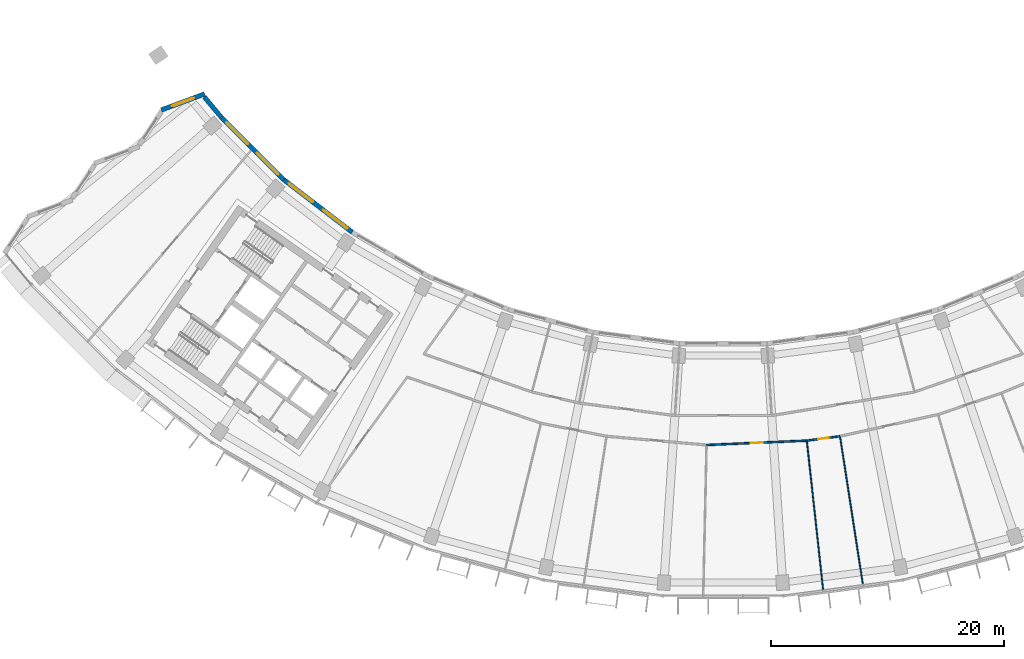
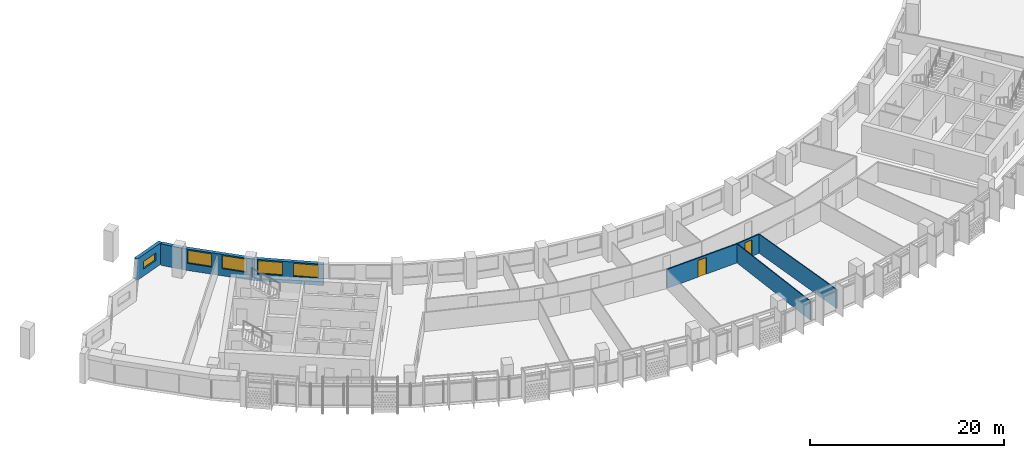
# One storey, part 5 of 27: 8 walls, 5 windows, 2 doors, 7 openings.
"""IFC4 building model written with IfcOpenShell, lengths in metres."""

from ifc_helpers import new_model, si_unit, direction, frame, frame_2d, origin, place, context, subcontext, project, spatial, rectangle, extrude, material, layer, layer_set, type_object, element, fill, save


model = new_model("IFC4")

# Units and contexts
model_context = context("Model", 3, precision=1e-05, world=origin(), true_north=direction((0.0, 1.0)))
body_context = subcontext(model_context, "Body", "Model", "MODEL_VIEW")
ifc_project = project(units=[si_unit("LENGTHUNIT", "METRE"), si_unit("AREAUNIT", "SQUARE_METRE"), si_unit("VOLUMEUNIT", "CUBIC_METRE"), si_unit("PLANEANGLEUNIT", "RADIAN"), si_unit("MASSUNIT", "GRAM", prefix="KILO")], contexts=[model_context])

# Site, building, storey
site_placement = place(None, origin())
site = spatial("IfcSite", under=ifc_project, at=site_placement, CompositionType="ELEMENT")
building_placement = place(site_placement, origin())
building = spatial("IfcBuilding", under=site, at=building_placement, Name="Qamariyya Broadcast Tower", CompositionType="ELEMENT")
storey_placement = place(building_placement, frame((0.0, 0.0, 194.89990234375)))
storey = spatial("IfcBuildingStorey", under=building, at=storey_placement, Name="L46", CompositionType="ELEMENT", Elevation=194.89990234375)

# Wall, opening, door
ifc_material_1 = material(Name="Gypsum board partition")
ifc_layer_1 = layer(ifc_material_1, 0.14990234375)
ifc_layer_set_1 = layer_set([ifc_layer_1], Name="Corridor partition 150 EI 60")
wall_type_1 = type_object("IfcWallType", Name="Corridor partition 150 EI 60", PredefinedType="PARTITIONING", material=ifc_layer_set_1)
wall_1_placement = place(storey_placement, frame((7.16162109375, -65.4091796875, 0.0), z_axis=(0.0, 0.0, 1.0), x_axis=(-0.999050423115, -0.043568934724, 0.0)))
wall_1 = element("IfcWall", 1, at=wall_1_placement, inside=storey, type_object=wall_type_1, Name="Partition L46-017", PredefinedType="PARTITIONING", context=body_context, shape_type="SweptSolid", body=[
    extrude(rectangle(XDim=8.60693359375, YDim=0.14990234375, at=frame_2d((4.303466796875, 0.0))), origin(), (0.0, 0.0, 1.0), 2.400146484375),
])
opening_1_placement = place(wall_1_placement, frame((3.803466796875, 0.0, 0.0)))
opening_1 = element("IfcOpeningElement", 2, at=opening_1_placement, cuts=wall_1, Name="Opening L46-D04", PredefinedType="OPENING", context=body_context, shape_type="SweptSolid", body=[
    extrude(rectangle(XDim=1.0, YDim=2.10009765625, at=frame_2d((0.5, 1.050048828125))), frame((0.0, 0.0849609375, 0.0), z_axis=(0.0, -1.0, 0.0), x_axis=(1.0, 0.0, 0.0)), (0.0, 0.0, 1.0), 0.169921875),
])
ifc_material_2 = material(Name="Timber fire door leaf", Category="wood")
door_type_1 = type_object("IfcDoorType", Name="Fire door 1000 x 2100 FD60", OperationType="NOTDEFINED", PredefinedType="DOOR", material=ifc_material_2)
door_1_placement = place(opening_1_placement, origin())
door_1 = element("IfcDoor", 3, at=door_1_placement, inside=storey, type_object=door_type_1, Name="Door L46-D04", OperationType="SINGLE_SWING_RIGHT", OverallHeight=2.10009765625, OverallWidth=1.0, PredefinedType="DOOR", context=body_context, shape_type="SweptSolid", body=[
    extrude(rectangle(XDim=1.0, YDim=2.10009765625, at=frame_2d((0.5, 1.050048828125))), frame((0.0, 0.02490234375, 0.0), z_axis=(0.0, -1.0, 0.0), x_axis=(1.0, 0.0, 0.0)), (0.0, 0.0, 1.0), 0.050048828125),
])
fill(opening_1, door_1)

wall_2_placement = place(storey_placement, frame((10.011474609375, -65.033935546875, 0.0), z_axis=(0.0, 0.0, 1.0), x_axis=(-0.991442438756, -0.13054459251, 0.0)))
wall_2 = element("IfcWall", 4, at=wall_2_placement, inside=storey, type_object=wall_type_1, Name="Partition L46-020", PredefinedType="PARTITIONING", context=body_context, shape_type="SweptSolid", body=[
    extrude(rectangle(XDim=2.87451171875, YDim=0.14990234375, at=frame_2d((1.437255859375, 0.0))), origin(), (0.0, 0.0, 1.0), 2.400146484375),
])
opening_2_placement = place(wall_2_placement, frame((0.9873046875, 0.0, 0.0)))
opening_2 = element("IfcOpeningElement", 5, at=opening_2_placement, cuts=wall_2, Name="Opening L46-D05", PredefinedType="OPENING", context=body_context, shape_type="SweptSolid", body=[
    extrude(rectangle(XDim=0.89990234375, YDim=2.10009765625, at=frame_2d((0.449951171875, 1.050048828125))), frame((0.0, 0.0849609375, 0.0), z_axis=(0.0, -1.0, 0.0), x_axis=(1.0, 0.0, 0.0)), (0.0, 0.0, 1.0), 0.169921875),
])
door_type_2 = type_object("IfcDoorType", Name="Fire door 900 x 2100 FD60", OperationType="NOTDEFINED", PredefinedType="DOOR", material=ifc_material_2)
door_2_placement = place(opening_2_placement, origin())
door_2 = element("IfcDoor", 6, at=door_2_placement, inside=storey, type_object=door_type_2, Name="Door L46-D05", OperationType="SINGLE_SWING_RIGHT", OverallHeight=2.10009765625, OverallWidth=0.89990234375, PredefinedType="DOOR", context=body_context, shape_type="SweptSolid", body=[
    extrude(rectangle(XDim=0.89990234375, YDim=2.10009765625, at=frame_2d((0.449951171875, 1.050048828125))), frame((0.0, 0.02490234375, 0.0), z_axis=(0.0, -1.0, 0.0), x_axis=(1.0, 0.0, 0.0)), (0.0, 0.0, 1.0), 0.050048828125),
])
fill(opening_2, door_2)

# Walls
ifc_layer_2 = layer(ifc_material_1, 0.10009765625)
ifc_layer_set_2 = layer_set([ifc_layer_2], Name="Partition 100")
wall_type_2 = type_object("IfcWallType", Name="Partition 100", PredefinedType="PARTITIONING", material=ifc_layer_set_2)
wall_3_placement = place(storey_placement, frame((8.56005859375, -78.182373046875, 0.0), z_axis=(0.0, 0.0, 1.0), x_axis=(-0.108839313153, 0.994059356333, 0.0)))
element("IfcWall", 7, at=wall_3_placement, inside=storey, type_object=wall_type_2, Name="Partition L46-021", PredefinedType="PARTITIONING", context=body_context, shape_type="SweptSolid", body=[
    extrude(rectangle(XDim=12.774658203125, YDim=0.10009765625, at=frame_2d((6.38720703125, 0.0))), origin(), (0.0, 0.0, 1.0), 2.400146484375),
])
wall_4_placement = place(storey_placement, frame((11.966552734375, -77.73388671875, 0.0), z_axis=(0.0, 0.0, 1.0), x_axis=(-0.152147660046, 0.988357774059, 0.0)))
element("IfcWall", 8, at=wall_4_placement, inside=storey, type_object=wall_type_2, Name="Partition L46-023", PredefinedType="PARTITIONING", context=body_context, shape_type="SweptSolid", body=[
    extrude(rectangle(XDim=12.7744140625, YDim=0.10009765625, at=frame_2d((6.38720703125, 0.0))), origin(), (0.0, 0.0, 1.0), 2.400146484375),
])

# Wall, opening, window
ifc_material_3 = material(Name="Terracotta", Category="masonry")
ifc_layer_3 = layer(ifc_material_3, 0.39990234375)
ifc_layer_set_3 = layer_set([ifc_layer_3], Name="Terracotta clad wall 400")
wall_type_3 = type_object("IfcWallType", Name="Terracotta clad wall 400", PredefinedType="SOLIDWALL", material=ifc_layer_set_3)
wall_5_placement = place(storey_placement, frame((-44.47265625, -35.679931640625, 0.0), z_axis=(0.0, 0.0, 1.0), x_axis=(-0.937550288663, -0.347849760999, 0.0)))
wall_5 = element("IfcWall", 9, at=wall_5_placement, inside=storey, type_object=wall_type_3, Name="e-wl-L46-capW0", PredefinedType="SOLIDWALL", context=body_context, shape_type="SweptSolid", body=[
    extrude(rectangle(XDim=3.949951171875, YDim=0.39990234375, at=frame_2d((1.97509765625, 0.0))), origin(), (0.0, 0.0, 1.0), 2.7001953125),
])
opening_3_placement = place(wall_5_placement, frame((0.97509765625, 0.0, 0.89990234375)))
opening_3 = element("IfcOpeningElement", 10, at=opening_3_placement, cuts=wall_5, Name="Opening W4", PredefinedType="OPENING", context=body_context, shape_type="SweptSolid", body=[
    extrude(rectangle(XDim=2.0, YDim=0.949951171875, at=frame_2d((1.0, 0.47509765625))), frame((0.0, 0.2099609375, 0.0), z_axis=(0.0, -1.0, 0.0), x_axis=(1.0, 0.0, 0.0)), (0.0, 0.0, 1.0), 0.419921875),
])
ifc_material_4 = material(Name="Clear low-e double glazed unit in aluminium frame", Category="aluminium")
window_type_1 = type_object("IfcWindowType", Name="Horn bay window 2000 x 950", PartitioningType="SINGLE_PANEL", PredefinedType="WINDOW", material=ifc_material_4)
window_1_placement = place(opening_3_placement, origin())
window_1 = element("IfcWindow", 11, at=window_1_placement, inside=storey, type_object=window_type_1, Name="e-w-L46-capW0", OverallHeight=0.949951171875, OverallWidth=2.0, PartitioningType="SINGLE_PANEL", PredefinedType="WINDOW", context=body_context, shape_type="SweptSolid", body=[
    extrude(rectangle(XDim=2.0, YDim=0.949951171875, at=frame_2d((1.0, 0.47509765625))), frame((0.0, 0.030029296875, 0.0), z_axis=(0.0, -1.0, 0.0), x_axis=(1.0, 0.0, 0.0)), (0.0, 0.0, 1.0), 0.06005859375),
])
fill(opening_3, window_1)

# Wall
wall_6_placement = place(storey_placement, frame((-43.0234375, -37.69287109375, 0.0), z_axis=(0.0, 0.0, 1.0), x_axis=(-0.641391782379, 0.76721351754, 0.0)))
element("IfcWall", 12, at=wall_6_placement, inside=storey, type_object=wall_type_3, Name="e-wl-L46-in00", PredefinedType="SOLIDWALL", context=body_context, shape_type="SweptSolid", body=[
    extrude(rectangle(XDim=2.28564453125, YDim=0.39990234375, at=frame_2d((1.142822265625, 0.0))), origin(), (0.0, 0.0, 1.0), 2.7001953125),
])

# Wall, openings, windows
wall_7_placement = place(storey_placement, frame((-37.697265625, -43.023193359375, 0.0), z_axis=(0.0, 0.0, 1.0), x_axis=(-0.707106781187, 0.707106781187, 0.0)))
wall_7 = element("IfcWall", 13, at=wall_7_placement, inside=storey, type_object=wall_type_3, Name="e-wl-L46-in10", PredefinedType="SOLIDWALL", context=body_context, shape_type="SweptSolid", body=[
    extrude(rectangle(XDim=7.517822265625, YDim=0.39990234375, at=frame_2d((3.7587890625, 0.0))), origin(), (0.0, 0.0, 1.0), 2.7001953125),
])
opening_4_placement = place(wall_7_placement, frame((4.330078125, 0.0, 0.89990234375)))
opening_4 = element("IfcOpeningElement", 14, at=opening_4_placement, cuts=wall_7, Name="Opening W1", PredefinedType="OPENING", context=body_context, shape_type="SweptSolid", body=[
    extrude(rectangle(XDim=2.60009765625, YDim=1.64990234375, at=frame_2d((1.300048828125, 0.824951171875))), frame((0.0, 0.2099609375, 0.0), z_axis=(0.0, -1.0, 0.0), x_axis=(1.0, 0.0, 0.0)), (0.0, 0.0, 1.0), 0.419921875),
])
opening_5_placement = place(wall_7_placement, frame((0.60205078125, 0.0, 0.89990234375)))
opening_5 = element("IfcOpeningElement", 15, at=opening_5_placement, cuts=wall_7, Name="Opening W1", PredefinedType="OPENING", context=body_context, shape_type="SweptSolid", body=[
    extrude(rectangle(XDim=2.60009765625, YDim=1.64990234375, at=frame_2d((1.300048828125, 0.824951171875))), frame((0.0, 0.2099609375, 0.0), z_axis=(0.0, -1.0, 0.0), x_axis=(1.0, 0.0, 0.0)), (0.0, 0.0, 1.0), 0.419921875),
])
window_type_2 = type_object("IfcWindowType", Name="Ribbon window 2600 x 1650", PartitioningType="SINGLE_PANEL", PredefinedType="WINDOW", material=ifc_material_4)
window_2_placement = place(opening_4_placement, origin())
window_2 = element("IfcWindow", 16, at=window_2_placement, inside=storey, type_object=window_type_2, Name="e-w-L46-in01-0", OverallHeight=1.64990234375, OverallWidth=2.60009765625, PartitioningType="SINGLE_PANEL", PredefinedType="WINDOW", context=body_context, shape_type="SweptSolid", body=[
    extrude(rectangle(XDim=2.60009765625, YDim=1.64990234375, at=frame_2d((1.300048828125, 0.824951171875))), frame((0.0, 0.030029296875, 0.0), z_axis=(0.0, -1.0, 0.0), x_axis=(1.0, 0.0, 0.0)), (0.0, 0.0, 1.0), 0.06005859375),
])
fill(opening_4, window_2)
window_3_placement = place(opening_5_placement, origin())
window_3 = element("IfcWindow", 17, at=window_3_placement, inside=storey, type_object=window_type_2, Name="e-w-L46-in01-1", OverallHeight=1.64990234375, OverallWidth=2.60009765625, PartitioningType="SINGLE_PANEL", PredefinedType="WINDOW", context=body_context, shape_type="SweptSolid", body=[
    extrude(rectangle(XDim=2.60009765625, YDim=1.64990234375, at=frame_2d((1.300048828125, 0.824951171875))), frame((0.0, 0.030029296875, 0.0), z_axis=(0.0, -1.0, 0.0), x_axis=(1.0, 0.0, 0.0)), (0.0, 0.0, 1.0), 0.06005859375),
])
fill(opening_5, window_3)

wall_8_placement = place(storey_placement, frame((-31.819091796875, -47.529541015625, 0.0), z_axis=(0.0, 0.0, 1.0), x_axis=(-0.79334647843, 0.608770371457, 0.0)))
wall_8 = element("IfcWall", 18, at=wall_8_placement, inside=storey, type_object=wall_type_3, Name="e-wl-L46-in20", PredefinedType="SOLIDWALL", context=body_context, shape_type="SweptSolid", body=[
    extrude(rectangle(XDim=7.380615234375, YDim=0.39990234375, at=frame_2d((3.6904296875, 0.0))), origin(), (0.0, 0.0, 1.0), 2.7001953125),
])
opening_6_placement = place(wall_8_placement, frame((4.25439453125, 0.0, 0.89990234375)))
opening_6 = element("IfcOpeningElement", 19, at=opening_6_placement, cuts=wall_8, Name="Opening W1", PredefinedType="OPENING", context=body_context, shape_type="SweptSolid", body=[
    extrude(rectangle(XDim=2.60009765625, YDim=1.64990234375, at=frame_2d((1.300048828125, 0.824951171875))), frame((0.0, 0.2099609375, 0.0), z_axis=(0.0, -1.0, 0.0), x_axis=(1.0, 0.0, 0.0)), (0.0, 0.0, 1.0), 0.419921875),
])
opening_7_placement = place(wall_8_placement, frame((0.5263671875, 0.0, 0.89990234375)))
opening_7 = element("IfcOpeningElement", 20, at=opening_7_placement, cuts=wall_8, Name="Opening W1", PredefinedType="OPENING", context=body_context, shape_type="SweptSolid", body=[
    extrude(rectangle(XDim=2.60009765625, YDim=1.64990234375, at=frame_2d((1.300048828125, 0.824951171875))), frame((0.0, 0.2099609375, 0.0), z_axis=(0.0, -1.0, 0.0), x_axis=(1.0, 0.0, 0.0)), (0.0, 0.0, 1.0), 0.419921875),
])
window_4_placement = place(opening_6_placement, origin())
window_4 = element("IfcWindow", 21, at=window_4_placement, inside=storey, type_object=window_type_2, Name="e-w-L46-in02-0", OverallHeight=1.64990234375, OverallWidth=2.60009765625, PartitioningType="SINGLE_PANEL", PredefinedType="WINDOW", context=body_context, shape_type="SweptSolid", body=[
    extrude(rectangle(XDim=2.60009765625, YDim=1.64990234375, at=frame_2d((1.300048828125, 0.824951171875))), frame((0.0, 0.030029296875, 0.0), z_axis=(0.0, -1.0, 0.0), x_axis=(1.0, 0.0, 0.0)), (0.0, 0.0, 1.0), 0.06005859375),
])
fill(opening_6, window_4)
window_5_placement = place(opening_7_placement, origin())
window_5 = element("IfcWindow", 22, at=window_5_placement, inside=storey, type_object=window_type_2, Name="e-w-L46-in02-1", OverallHeight=1.64990234375, OverallWidth=2.60009765625, PartitioningType="SINGLE_PANEL", PredefinedType="WINDOW", context=body_context, shape_type="SweptSolid", body=[
    extrude(rectangle(XDim=2.60009765625, YDim=1.64990234375, at=frame_2d((1.300048828125, 0.824951171875))), frame((0.0, 0.030029296875, 0.0), z_axis=(0.0, -1.0, 0.0), x_axis=(1.0, 0.0, 0.0)), (0.0, 0.0, 1.0), 0.06005859375),
])
fill(opening_7, window_5)

save(model, "model.ifc")
